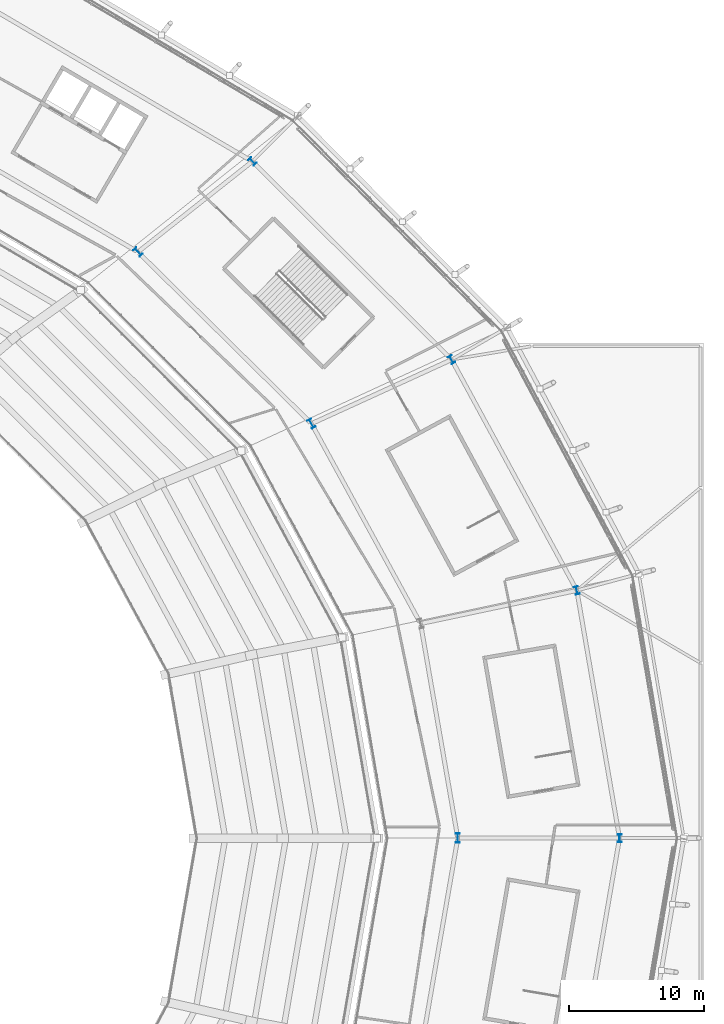
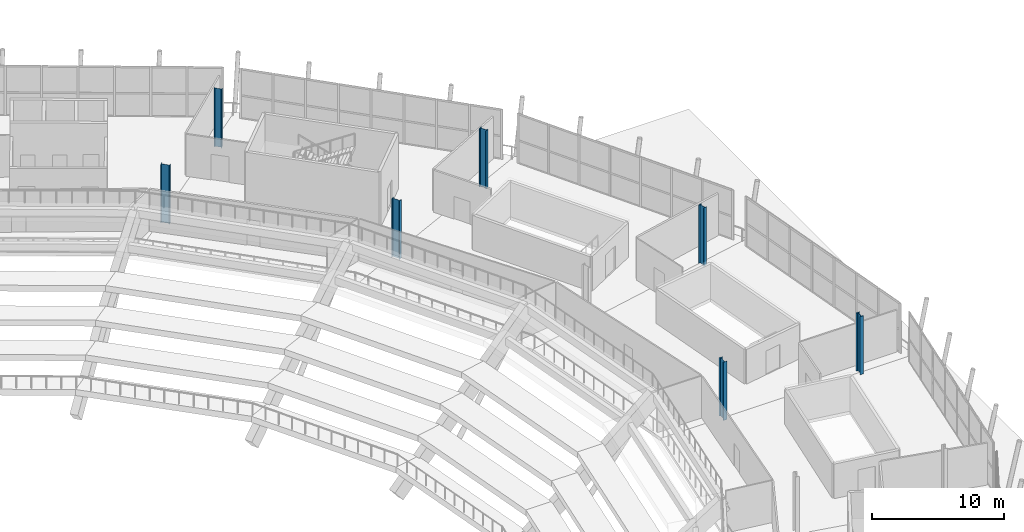
# One storey, part 9 of 126: 7 columns.
"""IFC4 building model written with IfcOpenShell, lengths in metres."""

from ifc_helpers import new_model, si_unit, direction, frame, origin, origin_2d, place, context, subcontext, project, spatial, i_section, extrude, material, material_profile, profile_set, type_object, element, save


model = new_model("IFC4")

# Units and contexts
model_context = context("Model", 3, precision=1e-05, world=origin(), true_north=direction((0.0, 1.0)))
body_context = subcontext(model_context, "Body", "Model", "MODEL_VIEW")
ifc_project = project(units=[si_unit("LENGTHUNIT", "METRE"), si_unit("AREAUNIT", "SQUARE_METRE"), si_unit("VOLUMEUNIT", "CUBIC_METRE"), si_unit("PLANEANGLEUNIT", "RADIAN"), si_unit("MASSUNIT", "GRAM", prefix="KILO")], contexts=[model_context])

# Site, building, storey
site_placement = place(None, origin())
site = spatial("IfcSite", under=ifc_project, at=site_placement, CompositionType="ELEMENT")
building_placement = place(site_placement, origin())
building = spatial("IfcBuilding", under=site, at=building_placement, Name="Zlatoyarsky Gate Stadium", CompositionType="ELEMENT")
storey_placement = place(building_placement, frame((0.0, 0.0, 20.800048828125)))
storey = spatial("IfcBuildingStorey", under=building, at=storey_placement, Name="L04", CompositionType="ELEMENT", Elevation=20.800048828125)

# Columns
ifc_material = material(Name="Steel S355", Category="steel")
ifc_material_profile_1 = material_profile(ifc_material, i_section(OverallWidth=0.300048828125, OverallDepth=0.60009765625, WebThickness=0.015380859375, FlangeThickness=0.030029296875, FilletRadius=0.027099609375, at=origin_2d()), Name="HEB 600")
ifc_profile_set_1 = profile_set([ifc_material_profile_1], Name="Steel S355")
column_type_1 = type_object("IfcColumnType", Name="STEEL COLUMN HEB 600", PredefinedType="COLUMN", material=ifc_profile_set_1)
for number, where, z_axis, x_axis, name in (
    (1, (204.0, 80.0, 0.0), (0.0, 0.0, 1.0), (1.0, 0.0, 0.0), "Column ST-C600 RC-00 on L04"),
    (2, (200.8310546875, 98.376220703125, 0.0), (0.0, 0.0, 1.0), (0.965925826289, 0.258819045103, 0.0), "Column ST-C600 RC-01 on L04"),
    (3, (191.540283203125, 115.5, 0.0), (0.0, 0.0, 1.0), (0.866025403784, 0.5, 0.0), "Column ST-C600 RC-02 on L04"),
    (4, (176.760986328125, 130.20458984375, 0.0), (0.0, 0.0, 1.0), (0.707106781187, 0.707106781187, 0.0), "Column ST-C600 RC-03 on L04"),
):
    element("IfcColumn", number, at=place(storey_placement, frame(where, z_axis=z_axis, x_axis=x_axis)), inside=storey, type_object=column_type_1, Name=name, PredefinedType="COLUMN", context=body_context, shape_type="SweptSolid", body=[
        extrude(i_section(OverallWidth=0.300048828125, OverallDepth=0.60009765625, WebThickness=0.015380859375, FlangeThickness=0.030029296875, FilletRadius=0.027099609375, at=origin_2d()), origin(), (0.0, 0.0, 1.0), 5.39990234375),
    ])
ifc_material_profile_2 = material_profile(ifc_material, i_section(OverallWidth=0.300048828125, OverallDepth=0.699951171875, WebThickness=0.01708984375, FlangeThickness=0.031982421875, FilletRadius=0.027099609375, at=origin_2d()), Name="HEB 700")
ifc_profile_set_2 = profile_set([ifc_material_profile_2], Name="Steel S355")
column_type_2 = type_object("IfcColumnType", Name="STEEL COLUMN HEB 700", PredefinedType="COLUMN", material=ifc_profile_set_2)
for number, where, z_axis, x_axis, name in (
    (5, (192.0, 80.0, 0.0), (0.0, 0.0, 1.0), (1.0, 0.0, 0.0), "Column ST-C700 RB-00 on L04"),
    (6, (181.148193359375, 110.75, 0.0), (0.0, 0.0, 1.0), (0.866025403784, 0.5, 0.0), "Column ST-C700 RB-02 on L04"),
    (7, (168.275634765625, 123.487060546875, 0.0), (0.0, 0.0, 1.0), (0.707106781187, 0.707106781187, 0.0), "Column ST-C700 RB-03 on L04"),
):
    element("IfcColumn", number, at=place(storey_placement, frame(where, z_axis=z_axis, x_axis=x_axis)), inside=storey, type_object=column_type_2, Name=name, PredefinedType="COLUMN", context=body_context, shape_type="SweptSolid", body=[
        extrude(i_section(OverallWidth=0.300048828125, OverallDepth=0.699951171875, WebThickness=0.01708984375, FlangeThickness=0.031982421875, FilletRadius=0.027099609375, at=origin_2d()), origin(), (0.0, 0.0, 1.0), 5.39990234375),
    ])

save(model, "model.ifc")
